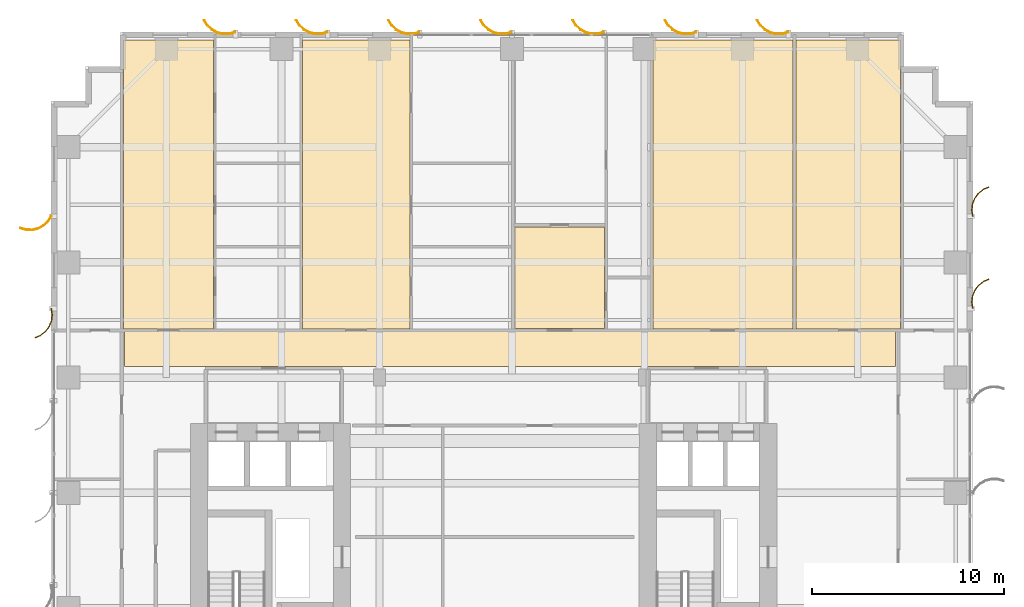
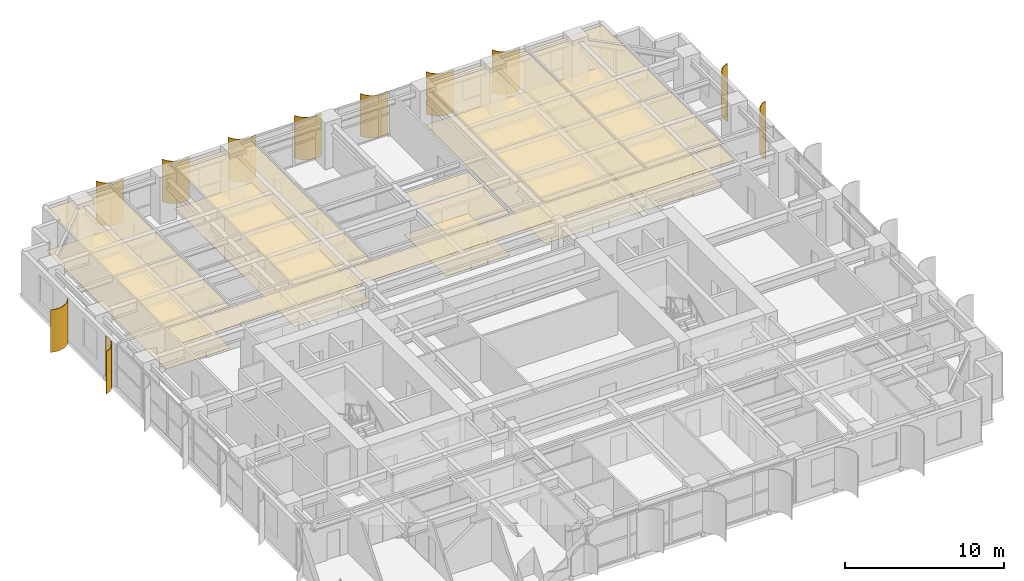
# One storey, part 24 of 24: 11 coverings, 11 shading devices.
"""IFC4 building model written with IfcOpenShell, lengths in metres."""

from ifc_helpers import new_model, si_unit, direction, frame, origin, place, context, subcontext, project, spatial, polyline, outline, extrude, source, transform, mapped, material, layer, layer_set, type_object, element, save


model = new_model("IFC4")

# Units and contexts
model_context = context("Model", 3, precision=1e-05, world=origin(), true_north=direction((0.0, 1.0)))
body_context = subcontext(model_context, "Body", "Model", "MODEL_VIEW")
ifc_project = project(units=[si_unit("LENGTHUNIT", "METRE"), si_unit("AREAUNIT", "SQUARE_METRE"), si_unit("VOLUMEUNIT", "CUBIC_METRE"), si_unit("PLANEANGLEUNIT", "RADIAN"), si_unit("MASSUNIT", "GRAM", prefix="KILO")], contexts=[model_context])

# Site, building, storey
site_placement = place(None, origin())
site = spatial("IfcSite", under=ifc_project, at=site_placement, CompositionType="ELEMENT")
building_placement = place(site_placement, origin())
building = spatial("IfcBuilding", under=site, at=building_placement, Name="Khoralis Quay Care Tower", CompositionType="ELEMENT")
storey_placement = place(building_placement, frame((0.0, 0.0, 40.5)))
storey = spatial("IfcBuildingStorey", under=building, at=storey_placement, Name="L10", CompositionType="ELEMENT", Elevation=40.5)

# Coverings
ifc_material_1 = material(Name="Mineral-fibre acoustic ceiling tile")
ifc_layer_1 = layer(ifc_material_1, 0.01806640625)
ifc_layer_set_1 = layer_set([ifc_layer_1], Name="Mineral-fibre acoustic ceiling tile")
covering_type_1 = type_object("IfcCoveringType", Name="COV-CEIL-AC18", PredefinedType="CEILING", material=ifc_layer_set_1)
covering_1_placement = place(storey_placement, frame((0.0, 0.0, 3.172119140625)))
element("IfcCovering", 1, at=covering_1_placement, inside=storey, type_object=covering_type_1, Name="Suspended Acoustic Ceiling SP-L10-CORR-N", PredefinedType="CEILING", context=body_context, shape_type="SweptSolid", body=[
    extrude(outline(polyline([(3.820068359375, 30.590087890625), (43.97998046875, 30.590087890625), (43.97998046875, 32.419921875), (3.820068359375, 32.419921875), (3.820068359375, 30.590087890625)])), origin(), (0.0, 0.0, 1.0), 0.017822265625),
])
covering_2_placement = place(storey_placement, frame((0.0, 0.0, 3.172119140625)))
element("IfcCovering", 2, at=covering_2_placement, inside=storey, type_object=covering_type_1, Name="Suspended Acoustic Ceiling SP-L10-NB-LIV0", PredefinedType="CEILING", context=body_context, shape_type="SweptSolid", body=[
    extrude(outline(polyline([(3.760009765625, 32.5400390625), (8.45703125, 32.5400390625), (8.45703125, 47.580078125), (3.760009765625, 47.580078125), (3.760009765625, 32.5400390625)])), origin(), (0.0, 0.0, 1.0), 0.017822265625),
])
covering_3_placement = place(storey_placement, frame((0.0, 0.0, 3.172119140625)))
element("IfcCovering", 3, at=covering_3_placement, inside=storey, type_object=covering_type_1, Name="Suspended Acoustic Ceiling SP-L10-NB-LIV1", PredefinedType="CEILING", context=body_context, shape_type="SweptSolid", body=[
    extrude(outline(polyline([(13.10009765625, 32.5400390625), (18.676025390625, 32.5400390625), (18.676025390625, 47.580078125), (13.10009765625, 47.580078125), (13.10009765625, 32.5400390625)])), origin(), (0.0, 0.0, 1.0), 0.017822265625),
])
covering_4_placement = place(storey_placement, frame((0.0, 0.0, 3.172119140625)))
element("IfcCovering", 4, at=covering_4_placement, inside=storey, type_object=covering_type_1, Name="Suspended Acoustic Ceiling SP-L10-NB-CARE2", PredefinedType="CEILING", context=body_context, shape_type="SweptSolid", body=[
    extrude(outline(polyline([(24.14990234375, 32.56005859375), (28.81005859375, 32.56005859375), (28.81005859375, 37.85009765625), (24.14990234375, 37.85009765625), (24.14990234375, 32.56005859375)])), origin(), (0.0, 0.0, 1.0), 0.017822265625),
])
covering_5_placement = place(storey_placement, frame((0.0, 0.0, 3.172119140625)))
element("IfcCovering", 5, at=covering_5_placement, inside=storey, type_object=covering_type_1, Name="Suspended Acoustic Ceiling SP-L10-NB-COM3", PredefinedType="CEILING", context=body_context, shape_type="SweptSolid", body=[
    extrude(outline(polyline([(31.340087890625, 32.5400390625), (38.6298828125, 32.5400390625), (38.6298828125, 47.580078125), (31.340087890625, 47.580078125), (31.340087890625, 32.5400390625)])), origin(), (0.0, 0.0, 1.0), 0.017822265625),
])
covering_6_placement = place(storey_placement, frame((0.0, 0.0, 3.172119140625)))
element("IfcCovering", 6, at=covering_6_placement, inside=storey, type_object=covering_type_1, Name="Suspended Acoustic Ceiling SP-L10-NB-COM4", PredefinedType="CEILING", context=body_context, shape_type="SweptSolid", body=[
    extrude(outline(polyline([(38.7900390625, 32.5400390625), (44.239990234375, 32.5400390625), (44.239990234375, 47.580078125), (38.7900390625, 47.580078125), (38.7900390625, 32.5400390625)])), origin(), (0.0, 0.0, 1.0), 0.017822265625),
])
ifc_material_2 = material(Name="Porcelain and non-slip vinyl flooring")
ifc_layer_2 = layer(ifc_material_2, 0.02001953125)
ifc_layer_set_2 = layer_set([ifc_layer_2], Name="Porcelain and non-slip vinyl flooring")
covering_type_2 = type_object("IfcCoveringType", Name="COV-FLOOR-20", PredefinedType="FLOORING", material=ifc_layer_set_2)
covering_7_placement = place(storey_placement, origin())
element("IfcCovering", 7, at=covering_7_placement, inside=storey, type_object=covering_type_2, Name="Resilient Healthcare Flooring SP-L10-NB-LIV0", PredefinedType="FLOORING", context=body_context, shape_type="SweptSolid", body=[
    extrude(outline(polyline([(3.760009765625, 32.5400390625), (8.45703125, 32.5400390625), (8.45703125, 47.580078125), (3.760009765625, 47.580078125), (3.760009765625, 32.5400390625)])), origin(), (0.0, 0.0, 1.0), 0.02001953125),
])
covering_8_placement = place(storey_placement, origin())
element("IfcCovering", 8, at=covering_8_placement, inside=storey, type_object=covering_type_2, Name="Resilient Healthcare Flooring SP-L10-NB-LIV1", PredefinedType="FLOORING", context=body_context, shape_type="SweptSolid", body=[
    extrude(outline(polyline([(13.10009765625, 32.5400390625), (18.676025390625, 32.5400390625), (18.676025390625, 47.580078125), (13.10009765625, 47.580078125), (13.10009765625, 32.5400390625)])), origin(), (0.0, 0.0, 1.0), 0.02001953125),
])
covering_9_placement = place(storey_placement, origin())
element("IfcCovering", 9, at=covering_9_placement, inside=storey, type_object=covering_type_2, Name="Resilient Healthcare Flooring SP-L10-NB-CARE2", PredefinedType="FLOORING", context=body_context, shape_type="SweptSolid", body=[
    extrude(outline(polyline([(24.14990234375, 32.56005859375), (28.81005859375, 32.56005859375), (28.81005859375, 37.85009765625), (24.14990234375, 37.85009765625), (24.14990234375, 32.56005859375)])), origin(), (0.0, 0.0, 1.0), 0.02001953125),
])
covering_10_placement = place(storey_placement, origin())
element("IfcCovering", 10, at=covering_10_placement, inside=storey, type_object=covering_type_2, Name="Resilient Healthcare Flooring SP-L10-NB-COM3", PredefinedType="FLOORING", context=body_context, shape_type="SweptSolid", body=[
    extrude(outline(polyline([(31.340087890625, 32.5400390625), (38.6298828125, 32.5400390625), (38.6298828125, 47.580078125), (31.340087890625, 47.580078125), (31.340087890625, 32.5400390625)])), origin(), (0.0, 0.0, 1.0), 0.02001953125),
])
covering_11_placement = place(storey_placement, origin())
element("IfcCovering", 11, at=covering_11_placement, inside=storey, type_object=covering_type_2, Name="Resilient Healthcare Flooring SP-L10-NB-COM4", PredefinedType="FLOORING", context=body_context, shape_type="SweptSolid", body=[
    extrude(outline(polyline([(38.7900390625, 32.5400390625), (44.239990234375, 32.5400390625), (44.239990234375, 47.580078125), (38.7900390625, 47.580078125), (38.7900390625, 32.5400390625)])), origin(), (0.0, 0.0, 1.0), 0.02001953125),
])

# Shading devices
ifc_material_3 = material(Name="Brushed pale anodised aluminium", Category="aluminium")
ifc_layer_3 = layer(ifc_material_3, 0.044921875)
ifc_layer_set_3 = layer_set([ifc_layer_3], Name="Brushed pale anodised aluminium")
shading_device_type = type_object("IfcShadingDeviceType", Name="SHD-FIN-1250", PredefinedType="USERDEFINED", material=ifc_layer_set_3)
shared_shape_1 = source(origin(), body_context, "Body", "SweptSolid", [
    extrude(outline(polyline([(0.0, 0.0), (0.17041015625, 0.2783203125), (0.4072265625, 0.5029296875), (0.694091796875, 0.658447265625), (1.01123046875, 0.734619140625), (1.33740234375, 0.72607421875), (1.650390625, 0.633544921875), (1.632080078125, 0.59228515625), (1.330322265625, 0.681640625), (1.015869140625, 0.68994140625), (0.710205078125, 0.616455078125), (0.43359375, 0.466552734375), (0.20556640625, 0.25), (0.041015625, -0.018310546875), (0.0, 0.0)])), origin(), (0.0, 0.0, 1.0), 3.260009765625),
])
shading_device_placement = place(storey_placement, frame((0.030029296875, 38.39990234375, 0.02001953125), z_axis=(0.0, 0.0, 1.0), x_axis=(-1.0, 0.0, 0.0)))
element("IfcShadingDevice", 12, at=shading_device_placement, inside=storey, type_object=shading_device_type, Name="L10 Curved Solar Fin P1E15-01", ObjectType="FIN", PredefinedType="USERDEFINED", context=body_context, shape_type="MappedRepresentation", body=[
    mapped(shared_shape_1, transform((0.0, 0.0, 0.0), scale=1.0)),
])
shared_shape_2 = source(origin(), body_context, "Body", "SweptSolid", [
    extrude(outline(polyline([(0.0, 0.0), (-0.04833984375, 0.32275390625), (-0.01123046875, 0.64697265625), (0.1083984375, 0.950439453125), (0.302490234375, 1.212890625), (0.557861328125, 1.416015625), (0.85693359375, 1.546142578125), (0.869384765625, 1.5029296875), (0.5810546875, 1.37744140625), (0.334716796875, 1.181640625), (0.147705078125, 0.9287109375), (0.032470703125, 0.635986328125), (-0.003173828125, 0.323486328125), (0.043212890625, 0.012451171875), (0.0, 0.0)])), origin(), (0.0, 0.0, 1.0), 3.260009765625),
])
for number, where, z_axis, x_axis, name in (
    (13, (47.969970703125, 33.60009765625, 0.02001953125), (0.0, 0.0, 1.0), (1.0, 0.0, 0.0), "L10 Curved Solar Fin P1E5-06"),
    (14, (47.969970703125, 38.39990234375, 0.02001953125), (0.0, 0.0, 1.0), (1.0, 0.0, 0.0), "L10 Curved Solar Fin P1E5-07"),
    (15, (0.030029296875, 33.60009765625, 0.02001953125), (0.0, 0.0, 1.0), (-1.0, 0.0, 0.0), "L10 Curved Solar Fin P1E15-02"),
):
    element("IfcShadingDevice", number, at=place(storey_placement, frame(where, z_axis=z_axis, x_axis=x_axis)), inside=storey, type_object=shading_device_type, Name=name, ObjectType="FIN", PredefinedType="USERDEFINED", context=body_context, shape_type="MappedRepresentation", body=[
        mapped(shared_shape_2, transform((0.0, 0.0, 0.0), scale=1.0)),
    ])
shared_shape_3 = source(origin(), body_context, "Body", "SweptSolid", [
    extrude(outline(polyline([(0.0, 0.0), (-0.0927734375, 0.31298828125), (-0.101318359375, 0.63916015625), (-0.025146484375, 0.956298828125), (0.130615234375, 1.2431640625), (0.355224609375, 1.479736328125), (0.633544921875, 1.650390625), (0.65185546875, 1.609130859375), (0.383544921875, 1.44482421875), (0.1669921875, 1.216796875), (0.01708984375, 0.940185546875), (-0.056396484375, 0.63427734375), (-0.04833984375, 0.31982421875), (0.041015625, 0.018310546875), (0.0, 0.0)])), origin(), (0.0, 0.0, 1.0), 3.260009765625),
])
for number, where, z_axis, x_axis, name in (
    (16, (38.39990234375, 47.969970703125, 0.02001953125), (0.0, 0.0, 1.0), (0.0, 1.0, 0.0), "L10 Curved Solar Fin P1E10-01"),
    (17, (33.60009765625, 47.969970703125, 0.02001953125), (0.0, 0.0, 1.0), (0.0, 1.0, 0.0), "L10 Curved Solar Fin P1E10-02"),
    (18, (28.800048828125, 47.969970703125, 0.02001953125), (0.0, 0.0, 1.0), (0.0, 1.0, 0.0), "L10 Curved Solar Fin P1E10-03"),
    (19, (24.0, 47.969970703125, 0.02001953125), (0.0, 0.0, 1.0), (0.0, 1.0, 0.0), "L10 Curved Solar Fin P1E10-04"),
    (20, (19.199951171875, 47.969970703125, 0.02001953125), (0.0, 0.0, 1.0), (0.0, 1.0, 0.0), "L10 Curved Solar Fin P1E10-05"),
    (21, (14.39990234375, 47.969970703125, 0.02001953125), (0.0, 0.0, 1.0), (0.0, 1.0, 0.0), "L10 Curved Solar Fin P1E10-06"),
    (22, (9.60009765625, 47.969970703125, 0.02001953125), (0.0, 0.0, 1.0), (0.0, 1.0, 0.0), "L10 Curved Solar Fin P1E10-07"),
):
    element("IfcShadingDevice", number, at=place(storey_placement, frame(where, z_axis=z_axis, x_axis=x_axis)), inside=storey, type_object=shading_device_type, Name=name, ObjectType="FIN", PredefinedType="USERDEFINED", context=body_context, shape_type="MappedRepresentation", body=[
        mapped(shared_shape_3, transform((0.0, 0.0, 0.0), scale=1.0)),
    ])

save(model, "model.ifc")
